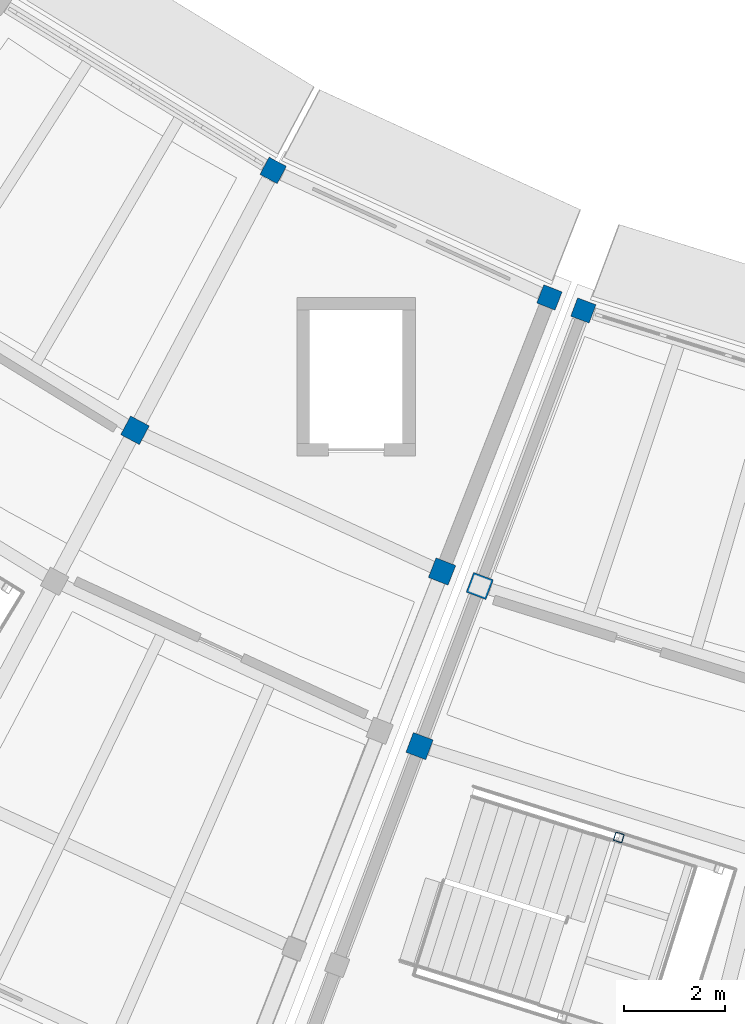
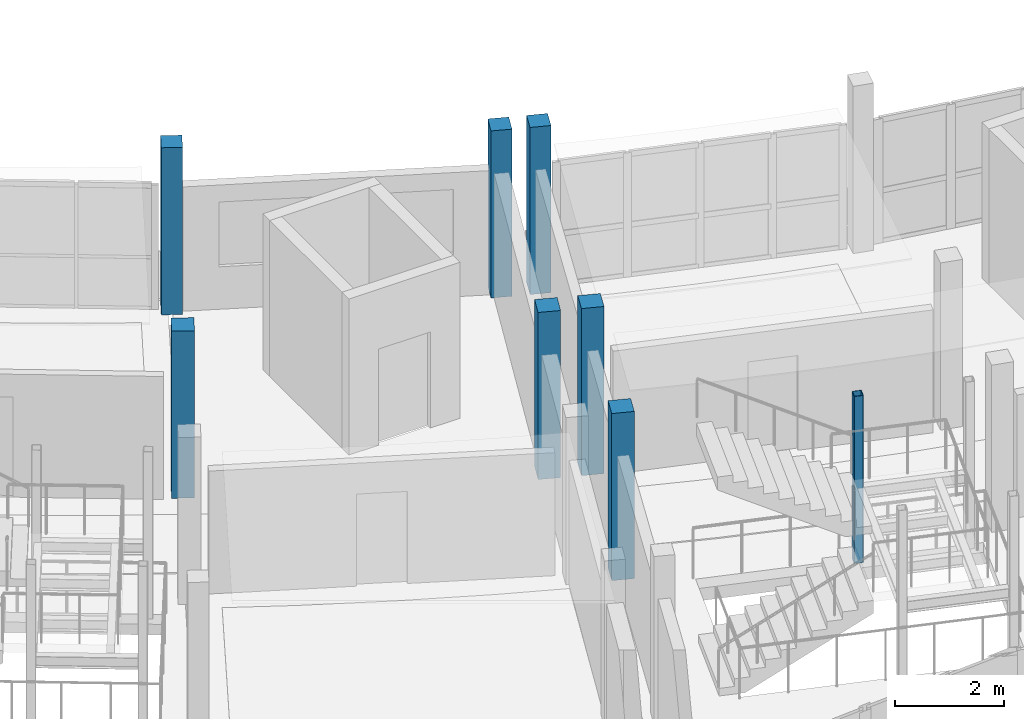
# One storey, part 6 of 77: 8 columns.
"""IFC4 building model written with IfcOpenShell, lengths in metres."""

import ifcopenshell
import ifcopenshell.guid

model = None  # the IFC model being written
_history = None  # IfcOwnerHistory: only IFC2X3 demands one
_inside = {}  # id of a spatial element -> (the spatial element, [elements in it])
_under = {}  # id of a project, library or spatial element -> (it, [spatial elements below it])
_declared = {}  # id of a project -> (the project, [libraries it declares])
_typed = {}  # id of a type object -> (the type object, [elements of that type])
_made_of = {}  # id of a material, layer set ... -> (it, [elements and type objects made of it])


def new_model(schema):
    """Start an empty IFC model of exactly this schema.

    Asked for "IFC4X3", IfcOpenShell would pick the latest addendum, in which some entities
    have other attributes; the version numbers below select the first issue.
    IFC2X3 requires an IfcOwnerHistory on every rooted entity: one is made here for all.
    """
    global model, _history
    if schema == "IFC4X3":
        model = ifcopenshell.file(schema_version=(4, 3, 0, 0))
    else:
        model = ifcopenshell.file(schema=schema)
    _inside.clear()
    _under.clear()
    _declared.clear()
    _typed.clear()
    _made_of.clear()
    _history = None
    if model.schema == "IFC2X3":
        org = make("IfcOrganization", Name="unknown")
        user = make(
            "IfcPersonAndOrganization",
            ThePerson=make("IfcPerson", FamilyName="unknown"),
            TheOrganization=org,
        )
        app = make(
            "IfcApplication",
            ApplicationDeveloper=org,
            Version="unknown",
            ApplicationFullName="unknown",
            ApplicationIdentifier="unknown",
        )
        _history = make(
            "IfcOwnerHistory",
            OwningUser=user,
            OwningApplication=app,
            ChangeAction="ADDED",
            CreationDate=0,
        )
    return model


def make(cls, **values):
    """One entity of the class cls with the attributes given. An attribute that is None is left unset."""
    return model.create_entity(
        cls, **{name: value for name, value in values.items() if value is not None}
    )


def rooted(cls, **values):
    """An entity with a GlobalId (a new one), such as an element, a storey or a relation."""
    return make(cls, GlobalId=ifcopenshell.guid.new(), OwnerHistory=_history, **values)


def si_unit(unit_type, name, prefix=None):
    """IfcSIUnit, for example si_unit("LENGTHUNIT", "METRE", prefix="MILLI")."""
    return make("IfcSIUnit", UnitType=unit_type, Prefix=prefix, Name=name)


def assignment(units):
    """IfcUnitAssignment: the units of a project."""
    return None if units is None else make("IfcUnitAssignment", Units=units)


def point(xyz):
    """IfcCartesianPoint."""
    return None if xyz is None else make("IfcCartesianPoint", Coordinates=xyz)


def direction(xyz):
    """IfcDirection."""
    return None if xyz is None else make("IfcDirection", DirectionRatios=xyz)


def frame(location, z_axis=None, x_axis=None):
    """IfcAxis2Placement3D, a coordinate frame: its origin and axes. An axis left out is left unset."""
    return make(
        "IfcAxis2Placement3D",
        Location=point(location),
        Axis=direction(z_axis),
        RefDirection=direction(x_axis),
    )


def frame_2d(location, x_axis=None):
    """IfcAxis2Placement2D, a coordinate frame in the plane: its origin and x axis."""
    return make(
        "IfcAxis2Placement2D", Location=point(location), RefDirection=direction(x_axis)
    )


def origin():
    """The frame at (0, 0, 0) with its axes left unset."""
    return frame((0.0, 0.0, 0.0))


def origin_2d():
    """The frame at (0, 0) in the plane with its x axis left unset."""
    return frame_2d((0.0, 0.0))


def place(relative_to, where):
    """IfcLocalPlacement: puts the frame where relative to a parent placement (None: the world)."""
    return make(
        "IfcLocalPlacement", PlacementRelTo=relative_to, RelativePlacement=where
    )


def context(
    kind, dimensions, precision=None, world=None, true_north=None, identifier=None
):
    """IfcGeometricRepresentationContext, for example the 3D "Model" context."""
    return make(
        "IfcGeometricRepresentationContext",
        ContextIdentifier=identifier,
        ContextType=kind,
        CoordinateSpaceDimension=dimensions,
        Precision=precision,
        WorldCoordinateSystem=world,
        TrueNorth=true_north,
    )


def subcontext(parent, identifier, kind, view, scale=None):
    """IfcGeometricRepresentationSubContext, for example "Body" below "Model"."""
    return make(
        "IfcGeometricRepresentationSubContext",
        ContextIdentifier=identifier,
        ContextType=kind,
        ParentContext=parent,
        TargetScale=scale,
        TargetView=view,
    )


def project(units=None, contexts=None):
    """IfcProject with its units and contexts."""
    return rooted(
        "IfcProject",
        Name="project",
        RepresentationContexts=contexts,
        UnitsInContext=assignment(units),
    )


def spatial(cls, under=None, at=None, **own):
    """A site, building, storey or space (cls), placed at a placement, below another one or the project."""
    s = rooted(cls, ObjectPlacement=at, **own)
    if under is not None:
        _under.setdefault(under.id(), (under, []))[1].append(s)
    return s


def profile(cls, at=None, kind="AREA", **sizes):
    """A parametric profile (cls). Its sizes go by their IFC names, for example OverallWidth=200.0."""
    return make(cls, ProfileType=kind, Position=at, **sizes)


def rectangle(**sizes):
    """IfcRectangleProfileDef."""
    return profile("IfcRectangleProfileDef", **sizes)


def hollow_rectangle(**sizes):
    """IfcRectangleHollowProfileDef."""
    return profile("IfcRectangleHollowProfileDef", **sizes)


def extrude(swept, where, along, depth):
    """IfcExtrudedAreaSolid: the profile swept, set in the frame where, extruded along a direction by depth."""
    return make(
        "IfcExtrudedAreaSolid",
        SweptArea=swept,
        Position=where,
        ExtrudedDirection=direction(along),
        Depth=depth,
    )


def shape(context_of_items, identifier, shape_type, items):
    """IfcShapeRepresentation: the items that make up one representation, for example the "Body"."""
    return make(
        "IfcShapeRepresentation",
        ContextOfItems=context_of_items,
        RepresentationIdentifier=identifier,
        RepresentationType=shape_type,
        Items=items,
    )


def material(Name=None, Category=None):
    """IfcMaterial."""
    return make("IfcMaterial", Name=Name, Category=Category)


def material_profile(
    of_material, cross_section, Name=None, Category=None, Priority=None
):
    """IfcMaterialProfile: a cross section and its material."""
    return make(
        "IfcMaterialProfile",
        Name=Name,
        Material=of_material,
        Profile=cross_section,
        Priority=Priority,
        Category=Category,
    )


def profile_set(profiles, Name=None, composite=None):
    """IfcMaterialProfileSet."""
    return make(
        "IfcMaterialProfileSet",
        Name=Name,
        MaterialProfiles=profiles,
        CompositeProfile=composite,
    )


def made_of(thing, what):
    """Note that an element or type object is made of a material, layer set ...; save() writes the relation."""
    if what is not None:
        _made_of.setdefault(what.id(), (what, []))[1].append(thing)
    return thing


def type_object(cls, material=None, **own):
    """A type object (cls), such as IfcWallType, which elements share."""
    return made_of(rooted(cls, **own), material)


def element(
    cls,
    number,
    at=None,
    inside=None,
    cuts=None,
    type_object=None,
    material=None,
    context=None,
    identifier="Body",
    shape_type=None,
    held_by="IfcProductDefinitionShape",
    body=None,
    shapes=None,
    **own,
):
    """One element of the class cls, such as IfcWall. Its Tag is "e" and its number.

    at: its placement. inside: the storey or other place that contains it. cuts: it is an
    opening in that element (IfcRelVoidsElement). A single representation is given by context,
    identifier, shape_type and body (its items); several are given by shapes. held_by: the class
    of the entity that holds the representations. save() writes the other relations.
    """
    e = rooted(cls, Tag="e%d" % number, ObjectPlacement=at, **own)
    if body is not None:
        shapes = [shape(context, identifier, shape_type, body)]
    if shapes is not None:
        e.Representation = make(held_by, Representations=shapes)
    if inside is not None:
        _inside.setdefault(inside.id(), (inside, []))[1].append(e)
    if cuts is not None:
        rooted(
            "IfcRelVoidsElement", RelatingBuildingElement=cuts, RelatedOpeningElement=e
        )
    if type_object is not None:
        _typed.setdefault(type_object.id(), (type_object, []))[1].append(e)
    return made_of(e, material)


def aggregate(whole, parts):
    """IfcRelAggregates: a whole, such as a stair, and the parts it consists of."""
    return rooted("IfcRelAggregates", RelatingObject=whole, RelatedObjects=parts)


def save(model, path):
    """Write the relations noted so far, then the file.

    IfcRelAggregates (storeys below a building ...), IfcRelContainedInSpatialStructure (elements
    in a storey), IfcRelDefinesByType, IfcRelAssociatesMaterial and IfcRelDeclares: one each for
    every whole, place, type object, material and project.
    """
    for whole, parts in _under.values():
        aggregate(whole, parts)
    for where, things in _inside.values():
        rooted(
            "IfcRelContainedInSpatialStructure",
            RelatedElements=things,
            RelatingStructure=where,
        )
    for kind, things in _typed.values():
        rooted("IfcRelDefinesByType", RelatedObjects=things, RelatingType=kind)
    for what, things in _made_of.values():
        rooted("IfcRelAssociatesMaterial", RelatedObjects=things, RelatingMaterial=what)
    for by, libraries in _declared.values():
        rooted("IfcRelDeclares", RelatingContext=by, RelatedDefinitions=libraries)
    model.write(path)


model = new_model("IFC4")

# Units and contexts
model_context = context("Model", 3, precision=1e-05, world=origin(), true_north=direction((0.0, 1.0)))
body_context = subcontext(model_context, "Body", "Model", "MODEL_VIEW")
ifc_project = project(units=[si_unit("LENGTHUNIT", "METRE"), si_unit("AREAUNIT", "SQUARE_METRE"), si_unit("VOLUMEUNIT", "CUBIC_METRE"), si_unit("PLANEANGLEUNIT", "RADIAN"), si_unit("MASSUNIT", "GRAM", prefix="KILO")], contexts=[model_context])

# Site, building, storey
site_placement = place(None, origin())
site = spatial("IfcSite", under=ifc_project, at=site_placement, CompositionType="ELEMENT")
building_placement = place(site_placement, origin())
building = spatial("IfcBuilding", under=site, at=building_placement, Name="Caldaven Crescent School", CompositionType="ELEMENT")
storey_placement = place(building_placement, frame((0.0, 0.0, 4.419921875)))
storey = spatial("IfcBuildingStorey", under=building, at=storey_placement, Name="L01", CompositionType="ELEMENT", Elevation=4.419921875)

# Columns
ifc_material_1 = material(Name="Glulam MLE24h (GL28h)", Category="wood")
ifc_material_profile_1 = material_profile(ifc_material_1, rectangle(XDim=0.389892578125, YDim=0.389892578125, at=origin_2d()), Name="MLE 390x390")
ifc_profile_set_1 = profile_set([ifc_material_profile_1], Name="Glulam MLE24h (GL28h)")
column_type_1 = type_object("IfcColumnType", Name="COL-GL39", PredefinedType="COLUMN", material=ifc_profile_set_1)
for number, where, z_axis, x_axis, name in (
    (1, (63.376220703125, 49.689453125, 0.0), (0.0, 0.0, 1.0), (-0.469471562786, -0.882947592859, 0.0), "COL-V4W-L01-04-0"),
    (2, (68.866943359375, 47.164306640625, 0.0), (0.0, 0.0, 1.0), (-0.364714278886, -0.931119484694, 0.0), "COL-V4W-L01-05-0"),
    (3, (69.541259765625, 46.905517578125, 0.0), (0.0, 0.0, 1.0), (-0.352005016254, -0.93599811353, 0.0), "COL-V5-L01-00-0"),
):
    element("IfcColumn", number, at=place(storey_placement, frame(where, z_axis=z_axis, x_axis=x_axis)), inside=storey, type_object=column_type_1, Name=name, PredefinedType="COLUMN", context=body_context, shape_type="SweptSolid", body=[
        extrude(rectangle(XDim=0.389892578125, YDim=0.389892578125, at=origin_2d()), origin(), (0.0, 0.0, 1.0), 3.739990234375),
    ])
ifc_material_profile_2 = material_profile(ifc_material_1, rectangle(XDim=0.419921875, YDim=0.419921875, at=origin_2d()), Name="MLE 420x420")
ifc_profile_set_2 = profile_set([ifc_material_profile_2], Name="Glulam MLE24h (GL28h)")
column_type_2 = type_object("IfcColumnType", Name="COL-GL42", PredefinedType="COLUMN", material=ifc_profile_set_2)
for number, where, z_axis, x_axis, name in (
    (4, (60.6298828125, 44.524169921875, 0.0), (0.0, 0.0, 1.0), (-0.469471562786, -0.882947592859, 0.0), "COL-V4W-L01-04-1"),
    (5, (66.73291015625, 41.71728515625, 0.0), (0.0, 0.0, 1.0), (-0.364714278886, -0.931119484694, 0.0), "COL-V4W-L01-05-1"),
    (6, (67.482421875, 41.4296875, 0.0), (0.0, 0.0, 1.0), (-0.352005016254, -0.93599811353, 0.0), "COL-V5-L01-00-1"),
    (7, (66.285888671875, 38.247314453125, 0.0), (0.0, 0.0, 1.0), (-0.352005016254, -0.93599811353, 0.0), "COL-V5-L01-00-2"),
):
    element("IfcColumn", number, at=place(storey_placement, frame(where, z_axis=z_axis, x_axis=x_axis)), inside=storey, type_object=column_type_2, Name=name, PredefinedType="COLUMN", context=body_context, shape_type="SweptSolid", body=[
        extrude(rectangle(XDim=0.419921875, YDim=0.419921875, at=origin_2d()), origin(), (0.0, 0.0, 1.0), 3.739990234375),
    ])
ifc_material_2 = material(Name="Steel ASTM A572 Grade 50", Category="steel")
ifc_material_profile_3 = material_profile(ifc_material_2, hollow_rectangle(XDim=0.179931640625, YDim=0.179931640625, WallThickness=0.010009765625, InnerFilletRadius=0.010009765625, OuterFilletRadius=0.02001953125, at=origin_2d()), Name="HSS 180x180x10")
ifc_profile_set_3 = profile_set([ifc_material_profile_3], Name="Steel ASTM A572 Grade 50")
column_type_3 = type_object("IfcColumnType", Name="COL-HS18", PredefinedType="COLUMN", material=ifc_profile_set_3)
column_placement = place(storey_placement, frame((70.245849609375, 36.431884765625, 0.0), z_axis=(0.0, 0.0, 1.0), x_axis=(0.953716950748, -0.300705799504, 0.0)))
element("IfcColumn", 8, at=column_placement, inside=storey, type_object=column_type_3, Name="COL-STPOST-ST2-L01-B", PredefinedType="COLUMN", context=body_context, shape_type="SweptSolid", body=[
    extrude(hollow_rectangle(XDim=0.179931640625, YDim=0.179931640625, WallThickness=0.010009765625, InnerFilletRadius=0.010009765625, OuterFilletRadius=0.02001953125, at=origin_2d()), origin(), (0.0, 0.0, 1.0), 3.739990234375),
])

save(model, "model.ifc")
